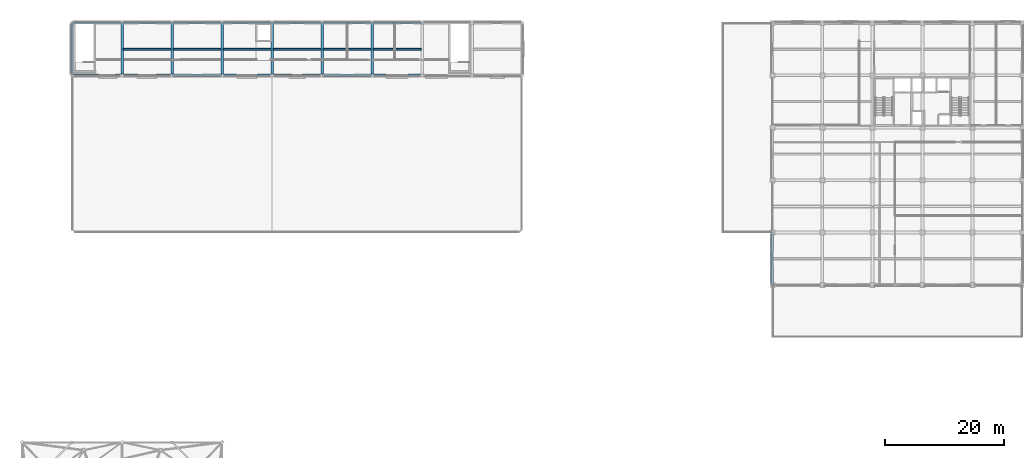
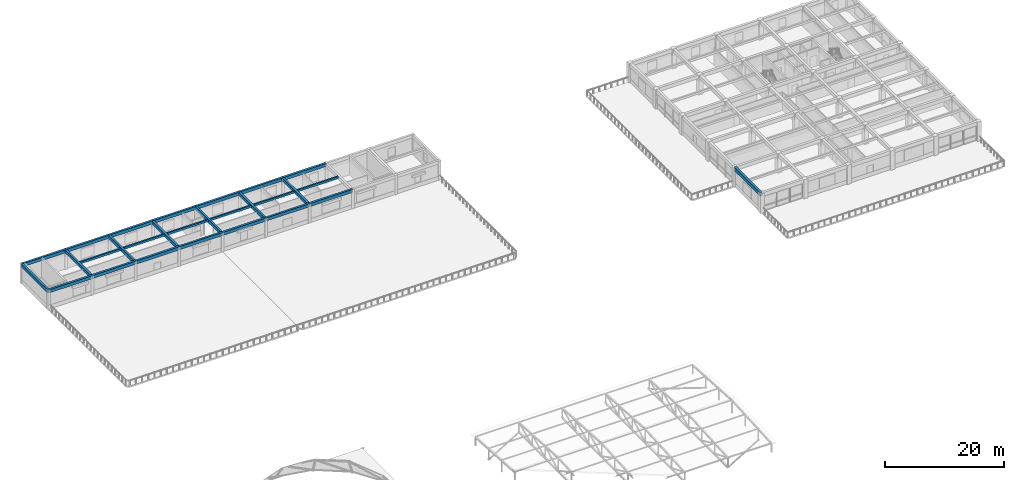
# One storey, part 22 of 49: 28 beams.
"""IFC4 building model written with IfcOpenShell, lengths in metres."""

from ifc_helpers import new_model, si_unit, direction, frame, origin, origin_2d, place, context, subcontext, project, spatial, rectangle, extrude, material, material_profile, profile_set, type_object, element, save


model = new_model("IFC4")

# Units and contexts
model_context = context("Model", 3, precision=1e-05, world=origin(), true_north=direction((0.0, 1.0)))
body_context = subcontext(model_context, "Body", "Model", "MODEL_VIEW")
ifc_project = project(units=[si_unit("LENGTHUNIT", "METRE"), si_unit("AREAUNIT", "SQUARE_METRE"), si_unit("VOLUMEUNIT", "CUBIC_METRE"), si_unit("PLANEANGLEUNIT", "RADIAN"), si_unit("MASSUNIT", "GRAM", prefix="KILO")], contexts=[model_context])

# Site, building, storey
site_placement = place(None, origin())
site = spatial("IfcSite", under=ifc_project, at=site_placement, CompositionType="ELEMENT")
building_placement = place(site_placement, origin())
building = spatial("IfcBuilding", under=site, at=building_placement, Name="Kemercrest Conservatory and Botanical Centre", CompositionType="ELEMENT")
storey_placement = place(building_placement, frame((0.0, 0.0, 13.199951171875)))
storey = spatial("IfcBuildingStorey", under=building, at=storey_placement, Name="L03", CompositionType="ELEMENT", Elevation=13.199951171875)

# Beams
ifc_material = material(Name="Concrete C40/50", Category="concrete")
ifc_material_profile_1 = material_profile(ifc_material, rectangle(XDim=0.39990234375, YDim=0.64990234375, at=origin_2d()), Name="RC 400x650")
ifc_profile_set_1 = profile_set([ifc_material_profile_1], Name="Concrete C40/50")
beam_type_1 = type_object("IfcBeamType", Name="BM-RC65", PredefinedType="BEAM", material=ifc_profile_set_1)
for number, where, z_axis, x_axis, name in (
    (1, (24.800048828125, 113.60009765625, 3.675048828125), (0.0, 1.0, 0.0), (-1.0, 0.0, 0.0), "V3-PAVRF beam BM-RC65 03/N-P"),
    (2, (33.199951171875, 113.60009765625, 3.675048828125), (0.0, 1.0, 0.0), (-1.0, 0.0, 0.0), "V3-PAVRF beam BM-RC65 04/N-P"),
    (3, (41.60009765625, 113.60009765625, 3.675048828125), (0.0, 1.0, 0.0), (-1.0, 0.0, 0.0), "V3-PAVRF beam BM-RC65 05/N-P"),
    (4, (50.0, 113.60009765625, 3.675048828125), (0.0, 1.0, 0.0), (-1.0, 0.0, 0.0), "V3-PAVRF beam BM-RC65 06/N-P"),
    (5, (58.39990234375, 113.60009765625, 3.675048828125), (0.0, 1.0, 0.0), (-1.0, 0.0, 0.0), "V3-PAVRF beam BM-RC65 07/N-P"),
    (6, (66.800048828125, 113.60009765625, 3.675048828125), (0.0, 1.0, 0.0), (-1.0, 0.0, 0.0), "V3-PAVRF beam BM-RC65 08/N-P"),
):
    element("IfcBeam", number, at=place(storey_placement, frame(where, z_axis=z_axis, x_axis=x_axis)), inside=storey, type_object=beam_type_1, Name=name, PredefinedType="BEAM", context=body_context, shape_type="SweptSolid", body=[
        extrude(rectangle(XDim=0.39990234375, YDim=0.64990234375, at=origin_2d()), origin(), (0.0, 0.0, 1.0), 8.7998046875),
    ])
ifc_material_profile_2 = material_profile(ifc_material, rectangle(XDim=0.300048828125, YDim=0.419921875, at=origin_2d()), Name="RC 300x420")
ifc_profile_set_2 = profile_set([ifc_material_profile_2], Name="Concrete C40/50")
beam_type_2 = type_object("IfcBeamType", Name="JS-RC42", PredefinedType="JOIST", material=ifc_profile_set_2)
for number, where, z_axis, x_axis, name in (
    (7, (25.0, 118.0, 3.7900390625), (1.0, 0.0, 0.0), (0.0, 1.0, 0.0), "V3-PAVRF secondary joist JS-RC42"),
    (8, (33.39990234375, 118.0, 3.7900390625), (1.0, 0.0, 0.0), (0.0, 1.0, 0.0), "V3-PAVRF secondary joist JS-RC42"),
    (9, (41.800048828125, 118.0, 3.7900390625), (1.0, 0.0, 0.0), (0.0, 1.0, 0.0), "V3-PAVRF secondary joist JS-RC42"),
    (10, (50.199951171875, 118.0, 3.7900390625), (1.0, 0.0, 0.0), (0.0, 1.0, 0.0), "V3-PAVRF secondary joist JS-RC42"),
    (11, (58.60009765625, 118.0, 3.7900390625), (1.0, 0.0, 0.0), (0.0, 1.0, 0.0), "V3-PAVRF secondary joist JS-RC42"),
    (12, (67.0, 118.0, 3.7900390625), (1.0, 0.0, 0.0), (0.0, 1.0, 0.0), "V3-PAVRF secondary joist JS-RC42"),
):
    element("IfcBeam", number, at=place(storey_placement, frame(where, z_axis=z_axis, x_axis=x_axis)), inside=storey, type_object=beam_type_2, Name=name, PredefinedType="JOIST", context=body_context, shape_type="SweptSolid", body=[
        extrude(rectangle(XDim=0.300048828125, YDim=0.419921875, at=origin_2d()), origin(), (0.0, 0.0, 1.0), 8.0),
    ])
ifc_material_profile_3 = material_profile(ifc_material, rectangle(XDim=0.39990234375, YDim=0.64990234375, at=origin_2d()), Name="RC 400x650")
ifc_profile_set_3 = profile_set([ifc_material_profile_3], Name="Concrete C40/50")
beam_type_3 = type_object("IfcBeamType", Name="SP-RC65", PredefinedType="SPANDREL", material=ifc_profile_set_3)
beam_1_placement = place(storey_placement, frame((16.39990234375, 113.60009765625, 3.675048828125), z_axis=(1.0, 0.0, 0.0), x_axis=(0.0, 1.0, 0.0)))
element("IfcBeam", 13, at=beam_1_placement, inside=storey, type_object=beam_type_3, Name="V3-PAVRF beam SP-RC65 N/02-03", PredefinedType="SPANDREL", context=body_context, shape_type="SweptSolid", body=[
    extrude(rectangle(XDim=0.39990234375, YDim=0.64990234375, at=origin_2d()), origin(), (0.0, 0.0, 1.0), 8.400146484375),
])
beam_2_placement = place(storey_placement, frame((24.800048828125, 113.60009765625, 3.675048828125), z_axis=(1.0, 0.0, 0.0), x_axis=(0.0, 1.0, 0.0)))
element("IfcBeam", 14, at=beam_2_placement, inside=storey, type_object=beam_type_3, Name="V3-PAVRF beam SP-RC65 N/03-04", PredefinedType="SPANDREL", context=body_context, shape_type="SweptSolid", body=[
    extrude(rectangle(XDim=0.39990234375, YDim=0.64990234375, at=origin_2d()), origin(), (0.0, 0.0, 1.0), 8.39990234375),
])
beam_3_placement = place(storey_placement, frame((33.199951171875, 113.60009765625, 3.675048828125), z_axis=(1.0, 0.0, 0.0), x_axis=(0.0, 1.0, 0.0)))
element("IfcBeam", 15, at=beam_3_placement, inside=storey, type_object=beam_type_3, Name="V3-PAVRF beam SP-RC65 N/04-05", PredefinedType="SPANDREL", context=body_context, shape_type="SweptSolid", body=[
    extrude(rectangle(XDim=0.39990234375, YDim=0.64990234375, at=origin_2d()), origin(), (0.0, 0.0, 1.0), 8.400146484375),
])
for number, where, z_axis, x_axis, name in (
    (16, (41.60009765625, 113.60009765625, 3.675048828125), (1.0, 0.0, 0.0), (0.0, 1.0, 0.0), "V3-PAVRF beam SP-RC65 N/05-06"),
    (17, (50.0, 113.60009765625, 3.675048828125), (1.0, 0.0, 0.0), (0.0, 1.0, 0.0), "V3-PAVRF beam SP-RC65 N/06-07"),
):
    element("IfcBeam", number, at=place(storey_placement, frame(where, z_axis=z_axis, x_axis=x_axis)), inside=storey, type_object=beam_type_3, Name=name, PredefinedType="SPANDREL", context=body_context, shape_type="SweptSolid", body=[
        extrude(rectangle(XDim=0.39990234375, YDim=0.64990234375, at=origin_2d()), origin(), (0.0, 0.0, 1.0), 8.39990234375),
    ])
beam_4_placement = place(storey_placement, frame((58.39990234375, 113.60009765625, 3.675048828125), z_axis=(1.0, 0.0, 0.0), x_axis=(0.0, 1.0, 0.0)))
element("IfcBeam", 18, at=beam_4_placement, inside=storey, type_object=beam_type_3, Name="V3-PAVRF beam SP-RC65 N/07-08", PredefinedType="SPANDREL", context=body_context, shape_type="SweptSolid", body=[
    extrude(rectangle(XDim=0.39990234375, YDim=0.64990234375, at=origin_2d()), origin(), (0.0, 0.0, 1.0), 8.400146484375),
])
beam_5_placement = place(storey_placement, frame((66.800048828125, 113.60009765625, 3.675048828125), z_axis=(1.0, 0.0, 0.0), x_axis=(0.0, 1.0, 0.0)))
element("IfcBeam", 19, at=beam_5_placement, inside=storey, type_object=beam_type_3, Name="V3-PAVRF beam SP-RC65 N/08-09", PredefinedType="SPANDREL", context=body_context, shape_type="SweptSolid", body=[
    extrude(rectangle(XDim=0.39990234375, YDim=0.64990234375, at=origin_2d()), origin(), (0.0, 0.0, 1.0), 8.39990234375),
])
beam_6_placement = place(storey_placement, frame((16.39990234375, 122.39990234375, 3.675048828125), z_axis=(1.0, 0.0, 0.0), x_axis=(0.0, 1.0, 0.0)))
element("IfcBeam", 20, at=beam_6_placement, inside=storey, type_object=beam_type_3, Name="V3-PAVRF beam SP-RC65 P/02-03", PredefinedType="SPANDREL", context=body_context, shape_type="SweptSolid", body=[
    extrude(rectangle(XDim=0.39990234375, YDim=0.64990234375, at=origin_2d()), origin(), (0.0, 0.0, 1.0), 8.400146484375),
])
beam_7_placement = place(storey_placement, frame((24.800048828125, 122.39990234375, 3.675048828125), z_axis=(1.0, 0.0, 0.0), x_axis=(0.0, 1.0, 0.0)))
element("IfcBeam", 21, at=beam_7_placement, inside=storey, type_object=beam_type_3, Name="V3-PAVRF beam SP-RC65 P/03-04", PredefinedType="SPANDREL", context=body_context, shape_type="SweptSolid", body=[
    extrude(rectangle(XDim=0.39990234375, YDim=0.64990234375, at=origin_2d()), origin(), (0.0, 0.0, 1.0), 8.39990234375),
])
beam_8_placement = place(storey_placement, frame((33.199951171875, 122.39990234375, 3.675048828125), z_axis=(1.0, 0.0, 0.0), x_axis=(0.0, 1.0, 0.0)))
element("IfcBeam", 22, at=beam_8_placement, inside=storey, type_object=beam_type_3, Name="V3-PAVRF beam SP-RC65 P/04-05", PredefinedType="SPANDREL", context=body_context, shape_type="SweptSolid", body=[
    extrude(rectangle(XDim=0.39990234375, YDim=0.64990234375, at=origin_2d()), origin(), (0.0, 0.0, 1.0), 8.400146484375),
])
for number, where, z_axis, x_axis, name in (
    (23, (41.60009765625, 122.39990234375, 3.675048828125), (1.0, 0.0, 0.0), (0.0, 1.0, 0.0), "V3-PAVRF beam SP-RC65 P/05-06"),
    (24, (50.0, 122.39990234375, 3.675048828125), (1.0, 0.0, 0.0), (0.0, 1.0, 0.0), "V3-PAVRF beam SP-RC65 P/06-07"),
):
    element("IfcBeam", number, at=place(storey_placement, frame(where, z_axis=z_axis, x_axis=x_axis)), inside=storey, type_object=beam_type_3, Name=name, PredefinedType="SPANDREL", context=body_context, shape_type="SweptSolid", body=[
        extrude(rectangle(XDim=0.39990234375, YDim=0.64990234375, at=origin_2d()), origin(), (0.0, 0.0, 1.0), 8.39990234375),
    ])
beam_9_placement = place(storey_placement, frame((58.39990234375, 122.39990234375, 3.675048828125), z_axis=(1.0, 0.0, 0.0), x_axis=(0.0, 1.0, 0.0)))
element("IfcBeam", 25, at=beam_9_placement, inside=storey, type_object=beam_type_3, Name="V3-PAVRF beam SP-RC65 P/07-08", PredefinedType="SPANDREL", context=body_context, shape_type="SweptSolid", body=[
    extrude(rectangle(XDim=0.39990234375, YDim=0.64990234375, at=origin_2d()), origin(), (0.0, 0.0, 1.0), 8.400146484375),
])
beam_10_placement = place(storey_placement, frame((66.800048828125, 122.39990234375, 3.675048828125), z_axis=(1.0, 0.0, 0.0), x_axis=(0.0, 1.0, 0.0)))
element("IfcBeam", 26, at=beam_10_placement, inside=storey, type_object=beam_type_3, Name="V3-PAVRF beam SP-RC65 P/08-09", PredefinedType="SPANDREL", context=body_context, shape_type="SweptSolid", body=[
    extrude(rectangle(XDim=0.39990234375, YDim=0.64990234375, at=origin_2d()), origin(), (0.0, 0.0, 1.0), 8.39990234375),
])
beam_11_placement = place(storey_placement, frame((16.39990234375, 113.60009765625, 3.675048828125), z_axis=(0.0, 1.0, 0.0), x_axis=(-1.0, 0.0, 0.0)))
element("IfcBeam", 27, at=beam_11_placement, inside=storey, type_object=beam_type_3, Name="V3-PAVRF beam SP-RC65 02/N-P", PredefinedType="SPANDREL", context=body_context, shape_type="SweptSolid", body=[
    extrude(rectangle(XDim=0.39990234375, YDim=0.64990234375, at=origin_2d()), origin(), (0.0, 0.0, 1.0), 8.7998046875),
])
ifc_material_profile_4 = material_profile(ifc_material, rectangle(XDim=0.449951171875, YDim=0.75, at=origin_2d()), Name="RC 450x750")
ifc_profile_set_4 = profile_set([ifc_material_profile_4], Name="Concrete C40/50")
beam_type_4 = type_object("IfcBeamType", Name="SP-RC75", PredefinedType="SPANDREL", material=ifc_profile_set_4)
beam_12_placement = place(storey_placement, frame((134.0, 78.39990234375, 3.625), z_axis=(0.0, 1.0, 0.0), x_axis=(-1.0, 0.0, 0.0)))
element("IfcBeam", 28, at=beam_12_placement, inside=storey, type_object=beam_type_4, Name="V4-L04 beam SP-RC75 16/J-K", PredefinedType="SPANDREL", context=body_context, shape_type="SweptSolid", body=[
    extrude(rectangle(XDim=0.449951171875, YDim=0.75, at=origin_2d()), origin(), (0.0, 0.0, 1.0), 8.800048828125),
])

save(model, "model.ifc")
